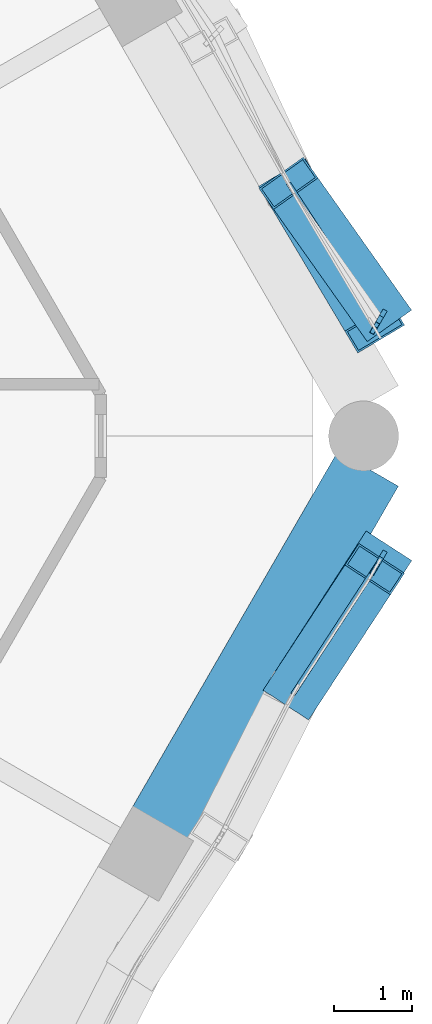
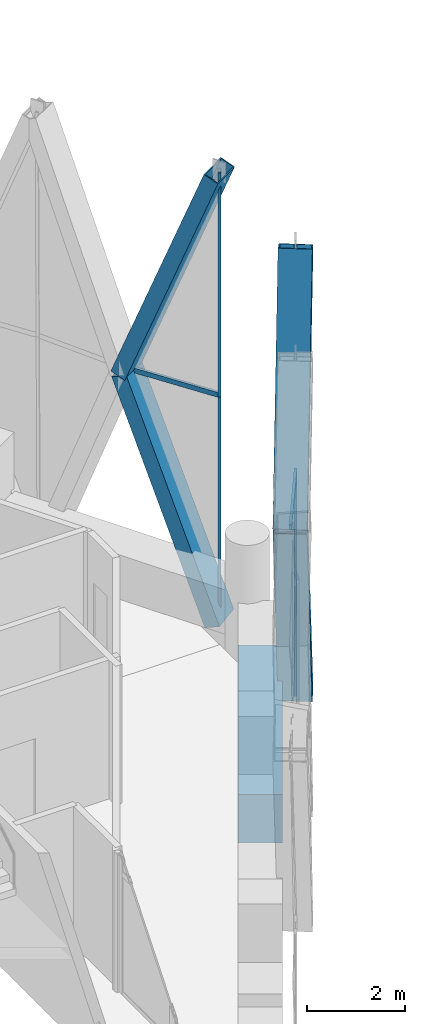
# One storey, part 15 of 37: 10 members, 1 beam, 4 elements without a shape of their own.
"""IFC4 building model written with IfcOpenShell, lengths in metres."""

from ifc_helpers import new_model, si_unit, direction, frame, origin, origin_2d, place, context, subcontext, project, spatial, rectangle, hollow_rectangle, extrude, material, material_profile, profile_set, type_object, element, aggregate, save


model = new_model("IFC4")

# Units and contexts
model_context = context("Model", 3, precision=1e-05, world=origin(), true_north=direction((0.0, 1.0)))
body_context = subcontext(model_context, "Body", "Model", "MODEL_VIEW")
ifc_project = project(units=[si_unit("LENGTHUNIT", "METRE"), si_unit("AREAUNIT", "SQUARE_METRE"), si_unit("VOLUMEUNIT", "CUBIC_METRE"), si_unit("PLANEANGLEUNIT", "RADIAN"), si_unit("MASSUNIT", "GRAM", prefix="KILO")], contexts=[model_context])

# Site, building, storey
site_placement = place(None, origin())
site = spatial("IfcSite", under=ifc_project, at=site_placement, CompositionType="ELEMENT")
building_placement = place(site_placement, origin())
building = spatial("IfcBuilding", under=site, at=building_placement, Name="Ostrander Bayou Hotel Tower", CompositionType="ELEMENT")
storey_placement = place(building_placement, frame((0.0, 0.0, 225.75)))
storey = spatial("IfcBuildingStorey", under=building, at=storey_placement, Name="L56", CompositionType="ELEMENT", Elevation=225.75)

# Curtain wall, members
ifc_material_1 = material(Name="Aluminium and clear glass", Category="aluminium")
curtain_wall_type = type_object("IfcCurtainWallType", Name="CW-LAT lattice glazing", PredefinedType="NOTDEFINED", material=ifc_material_1)
curtain_wall_1_placement = place(storey_placement, origin())
curtain_wall_1 = element("IfcCurtainWall", 1, at=curtain_wall_1_placement, inside=storey, type_object=curtain_wall_type, Name="CW-LAT L56 SE 1", PredefinedType="NOTDEFINED")
ifc_material_2 = material(Name="Aluminium", Category="aluminium")
ifc_material_profile_1 = material_profile(ifc_material_2, hollow_rectangle(XDim=0.06005859375, YDim=0.159912109375, WallThickness=0.00390625, at=origin_2d()))
ifc_profile_set_1 = profile_set([ifc_material_profile_1], Name="Aluminium")
member_type_1 = type_object("IfcMemberType", Name="CW-LA mullion 60 x 160 mm", PredefinedType="MULLION", material=ifc_profile_set_1)
member_1_placement = place(storey_placement, frame((19.2978515625, -1.715087890625, -0.60009765625), z_axis=(-0.008418945283, -0.014581266058, 0.999858243973), x_axis=(0.866013897511, -0.50001992892, 0.0)))
member_1 = element("IfcMember", 2, at=member_1_placement, type_object=member_type_1, Name="CW-LAT mullion 13", PredefinedType="MULLION", context=body_context, shape_type="SweptSolid", body=[
    extrude(hollow_rectangle(XDim=0.06005859375, YDim=0.159912109375, WallThickness=0.00390625, at=origin_2d()), origin(), (0.0, 0.0, 1.0), 5.625732421875),
])
member_2_placement = place(storey_placement, frame((19.25048828125, -1.797119140625, 5.02490234375), z_axis=(-0.008375557002, -0.014537883916, 0.999859240081), x_axis=(0.866486855147, -0.499199889682, 0.0)))
member_2 = element("IfcMember", 3, at=member_2_placement, type_object=member_type_1, Name="CW-LAT mullion 14", PredefinedType="MULLION", context=body_context, shape_type="SweptSolid", body=[
    extrude(hollow_rectangle(XDim=0.06005859375, YDim=0.159912109375, WallThickness=0.00390625, at=origin_2d()), origin(), (0.0, 0.0, 1.0), 5.625732421875),
])
aggregate(curtain_wall_1, [member_1, member_2])

curtain_wall_2_placement = place(storey_placement, origin())
curtain_wall_2 = element("IfcCurtainWall", 4, at=curtain_wall_2_placement, inside=storey, type_object=curtain_wall_type, Name="CW-LAT L56 NE 1", PredefinedType="NOTDEFINED")
member_3_placement = place(storey_placement, frame((19.2978515625, 1.387939453125, -0.60009765625), z_axis=(-0.008418945283, -0.014581266058, 0.999858243973), x_axis=(0.866013897511, -0.50001992892, 0.0)))
member_3 = element("IfcMember", 5, at=member_3_placement, type_object=member_type_1, Name="CW-LAT mullion 1", PredefinedType="MULLION", context=body_context, shape_type="SweptSolid", body=[
    extrude(hollow_rectangle(XDim=0.06005859375, YDim=0.159912109375, WallThickness=0.00390625, at=origin_2d()), origin(), (0.0, 0.0, 1.0), 5.625732421875),
])
member_4_placement = place(storey_placement, frame((19.25048828125, 1.305908203125, 5.02490234375), z_axis=(-0.008375557002, -0.014537883916, 0.999859240081), x_axis=(0.866486855147, -0.499199889682, 0.0)))
member_4 = element("IfcMember", 6, at=member_4_placement, type_object=member_type_1, Name="CW-LAT mullion 2", PredefinedType="MULLION", context=body_context, shape_type="SweptSolid", body=[
    extrude(hollow_rectangle(XDim=0.06005859375, YDim=0.159912109375, WallThickness=0.00390625, at=origin_2d()), origin(), (0.0, 0.0, 1.0), 5.625732421875),
])
aggregate(curtain_wall_2, [member_3, member_4])

# Curtain wall, member
curtain_wall_3_placement = place(storey_placement, origin())
curtain_wall_3 = element("IfcCurtainWall", 7, at=curtain_wall_3_placement, inside=storey, type_object=curtain_wall_type, Name="CW-LAT L56 SE 2", PredefinedType="NOTDEFINED")
ifc_material_3 = material(Name="Aluminium", Category="aluminium")
ifc_material_profile_2 = material_profile(ifc_material_3, hollow_rectangle(XDim=0.06005859375, YDim=0.1201171875, WallThickness=0.00390625, at=origin_2d()))
ifc_profile_set_2 = profile_set([ifc_material_profile_2], Name="Aluminium")
member_type_2 = type_object("IfcMemberType", Name="CW-LA transom 60 x 120 mm", PredefinedType="USERDEFINED", material=ifc_profile_set_2)
member_5_placement = place(storey_placement, frame((19.25048828125, -1.797119140625, 5.02490234375), z_axis=(-0.545124295776, -0.838355236254, 0.0), x_axis=(0.838355236254, -0.545124295776, 0.0)))
member_5 = element("IfcMember", 8, at=member_5_placement, type_object=member_type_2, Name="CW-LAT transom 15", ObjectType="TRANSOM", PredefinedType="USERDEFINED", context=body_context, shape_type="SweptSolid", body=[
    extrude(hollow_rectangle(XDim=0.06005859375, YDim=0.1201171875, WallThickness=0.00390625, at=origin_2d()), origin(), (0.0, 0.0, 1.0), 2.019775390625),
])
aggregate(curtain_wall_3, [member_5])

curtain_wall_4_placement = place(storey_placement, origin())
curtain_wall_4 = element("IfcCurtainWall", 9, at=curtain_wall_4_placement, inside=storey, type_object=curtain_wall_type, Name="CW-LAT L56 NE 2", PredefinedType="NOTDEFINED")
member_6_placement = place(storey_placement, frame((19.25048828125, 1.305908203125, 5.02490234375), z_axis=(-0.544298115775, 0.838891865, 0.0), x_axis=(-0.838891865, -0.544298115775, 0.0)))
member_6 = element("IfcMember", 10, at=member_6_placement, type_object=member_type_2, Name="CW-LAT transom 3", ObjectType="TRANSOM", PredefinedType="USERDEFINED", context=body_context, shape_type="SweptSolid", body=[
    extrude(hollow_rectangle(XDim=0.06005859375, YDim=0.1201171875, WallThickness=0.00390625, at=origin_2d()), origin(), (0.0, 0.0, 1.0), 2.12646484375),
])
aggregate(curtain_wall_4, [member_6])

# Members
ifc_material_4 = material(Name="Steel ASTM A572 Gr 50", Category="steel")
ifc_material_profile_3 = material_profile(ifc_material_4, hollow_rectangle(XDim=0.699951171875, YDim=0.35009765625, WallThickness=0.02490234375, at=origin_2d()))
ifc_profile_set_3 = profile_set([ifc_material_profile_3], Name="Steel ASTM A572 Gr 50")
member_type_3 = type_object("IfcMemberType", Name="LT1 lattice member box 700 x 350 x 25 mm", PredefinedType="BRACE", material=ifc_profile_set_3)
member_7_placement = place(storey_placement, frame((18.1494140625, -3.490478515625, 5.02490234375), z_axis=(0.191110402363, 0.295441081203, -0.936050950347), x_axis=(-0.839644495981, 0.543136373638, 0.0)))
element("IfcMember", 11, at=member_7_placement, inside=storey, type_object=member_type_3, Name="LT1 L56 SE 9", PredefinedType="BRACE", context=body_context, shape_type="SweptSolid", body=[
    extrude(hollow_rectangle(XDim=0.699951171875, YDim=0.35009765625, WallThickness=0.02490234375, at=origin_2d()), origin(), (0.0, 0.0, 1.0), 6.00927734375),
])
member_8_placement = place(storey_placement, frame((18.1494140625, -3.490478515625, 5.02490234375), z_axis=(0.177270276133, 0.271058858641, 0.946098485546), x_axis=(-0.836913771264, 0.547334759968, 0.0)))
element("IfcMember", 12, at=member_8_placement, inside=storey, type_object=member_type_3, Name="LT1 L56 SE 10", PredefinedType="BRACE", context=body_context, shape_type="SweptSolid", body=[
    extrude(hollow_rectangle(XDim=0.699951171875, YDim=0.35009765625, WallThickness=0.02490234375, at=origin_2d()), origin(), (0.0, 0.0, 1.0), 5.945556640625),
])
member_9_placement = place(storey_placement, frame((18.093017578125, 3.08984375, 5.02490234375), z_axis=(0.200837108227, -0.283695133019, -0.937646803151), x_axis=(0.816178621322, 0.57779966952, 0.0)))
element("IfcMember", 13, at=member_9_placement, inside=storey, type_object=member_type_3, Name="LT1 L56 NE 1", PredefinedType="BRACE", context=body_context, shape_type="SweptSolid", body=[
    extrude(hollow_rectangle(XDim=0.699951171875, YDim=0.35009765625, WallThickness=0.02490234375, at=origin_2d()), origin(), (0.0, 0.0, 1.0), 5.9990234375),
])
member_10_placement = place(storey_placement, frame((18.093017578125, 3.08984375, 5.02490234375), z_axis=(0.184154297571, -0.309434288047, 0.932918868963), x_axis=(0.859332890733, 0.511416643163, 0.0)))
element("IfcMember", 14, at=member_10_placement, inside=storey, type_object=member_type_3, Name="LT1 L56 NE 2", PredefinedType="BRACE", context=body_context, shape_type="SweptSolid", body=[
    extrude(hollow_rectangle(XDim=0.699951171875, YDim=0.35009765625, WallThickness=0.02490234375, at=origin_2d()), origin(), (0.0, 0.0, 1.0), 6.029541015625),
])

# Beam
ifc_material_5 = material(Name="Concrete f'c 60 MPa", Category="concrete")
ifc_material_profile_4 = material_profile(ifc_material_5, rectangle(XDim=0.89990234375, YDim=1.199951171875, at=origin_2d()))
ifc_profile_set_4 = profile_set([ifc_material_profile_4], Name="Concrete f'c 60 MPa")
beam_type = type_object("IfcBeamType", Name="SP4 spandrel beam 900 x 1200 mm f'c 60 MPa", PredefinedType="SPANDREL", material=ifc_profile_set_4)
beam_placement = place(storey_placement, frame((16.46728515625, -5.177978515625, -0.60009765625), z_axis=(0.500001430823, 0.866024577697, 0.0), x_axis=(-0.866024577697, 0.500001430823, 0.0)))
element("IfcBeam", 15, at=beam_placement, inside=storey, type_object=beam_type, Name="SP4 L56 SE-3", PredefinedType="SPANDREL", context=body_context, shape_type="SweptSolid", body=[
    extrude(rectangle(XDim=0.89990234375, YDim=1.199951171875, at=origin_2d()), origin(), (0.0, 0.0, 1.0), 5.302734375),
])

save(model, "model.ifc")
